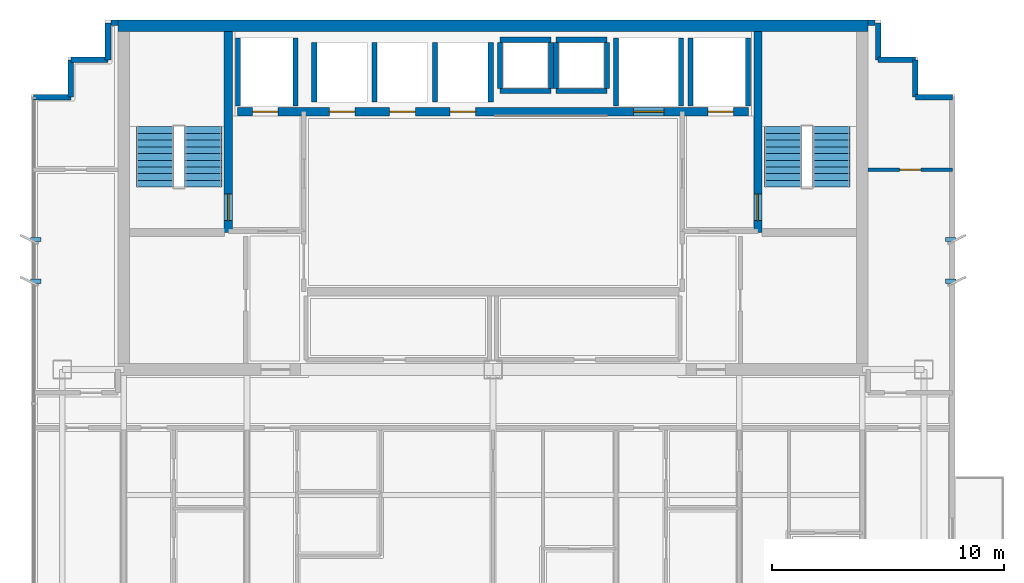
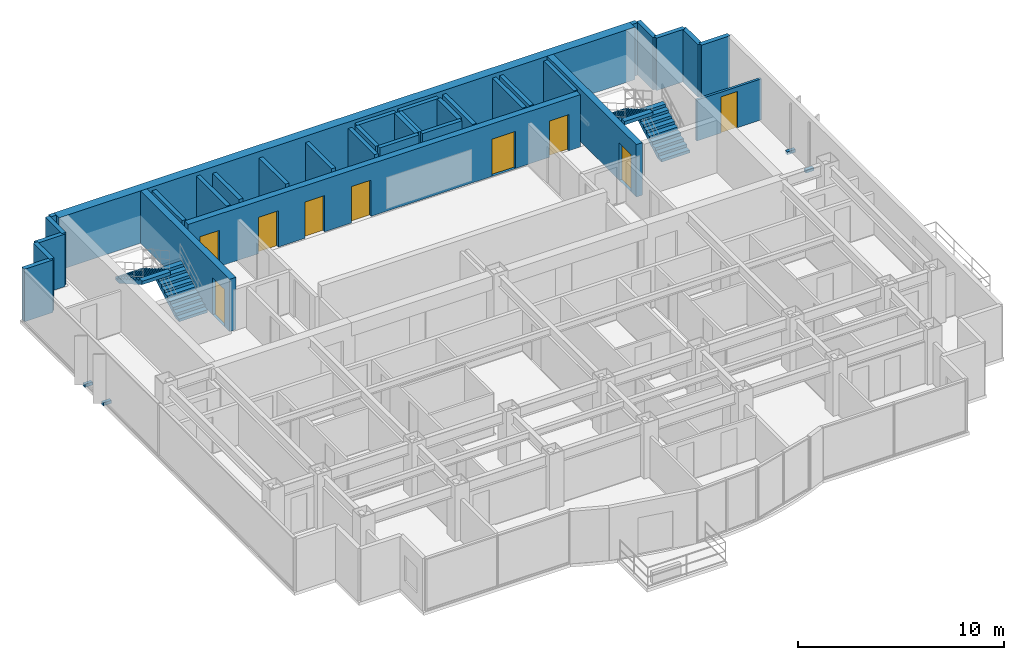
# One storey, part 9 of 11: 33 walls, 9 doors, 4 discrete accessories, 4 stair flights, 9 openings, 2 elements without a shape of their own.
"""IFC4 building model written with IfcOpenShell, lengths in metres."""

import ifcopenshell
import ifcopenshell.guid

model = None  # the IFC model being written
_history = None  # IfcOwnerHistory: only IFC2X3 demands one
_inside = {}  # id of a spatial element -> (the spatial element, [elements in it])
_under = {}  # id of a project, library or spatial element -> (it, [spatial elements below it])
_declared = {}  # id of a project -> (the project, [libraries it declares])
_typed = {}  # id of a type object -> (the type object, [elements of that type])
_made_of = {}  # id of a material, layer set ... -> (it, [elements and type objects made of it])


def new_model(schema):
    """Start an empty IFC model of exactly this schema.

    Asked for "IFC4X3", IfcOpenShell would pick the latest addendum, in which some entities
    have other attributes; the version numbers below select the first issue.
    IFC2X3 requires an IfcOwnerHistory on every rooted entity: one is made here for all.
    """
    global model, _history
    if schema == "IFC4X3":
        model = ifcopenshell.file(schema_version=(4, 3, 0, 0))
    else:
        model = ifcopenshell.file(schema=schema)
    _inside.clear()
    _under.clear()
    _declared.clear()
    _typed.clear()
    _made_of.clear()
    _history = None
    if model.schema == "IFC2X3":
        org = make("IfcOrganization", Name="unknown")
        user = make(
            "IfcPersonAndOrganization",
            ThePerson=make("IfcPerson", FamilyName="unknown"),
            TheOrganization=org,
        )
        app = make(
            "IfcApplication",
            ApplicationDeveloper=org,
            Version="unknown",
            ApplicationFullName="unknown",
            ApplicationIdentifier="unknown",
        )
        _history = make(
            "IfcOwnerHistory",
            OwningUser=user,
            OwningApplication=app,
            ChangeAction="ADDED",
            CreationDate=0,
        )
    return model


def make(cls, **values):
    """One entity of the class cls with the attributes given. An attribute that is None is left unset."""
    return model.create_entity(
        cls, **{name: value for name, value in values.items() if value is not None}
    )


def rooted(cls, **values):
    """An entity with a GlobalId (a new one), such as an element, a storey or a relation."""
    return make(cls, GlobalId=ifcopenshell.guid.new(), OwnerHistory=_history, **values)


def si_unit(unit_type, name, prefix=None):
    """IfcSIUnit, for example si_unit("LENGTHUNIT", "METRE", prefix="MILLI")."""
    return make("IfcSIUnit", UnitType=unit_type, Prefix=prefix, Name=name)


def assignment(units):
    """IfcUnitAssignment: the units of a project."""
    return None if units is None else make("IfcUnitAssignment", Units=units)


def point(xyz):
    """IfcCartesianPoint."""
    return None if xyz is None else make("IfcCartesianPoint", Coordinates=xyz)


def direction(xyz):
    """IfcDirection."""
    return None if xyz is None else make("IfcDirection", DirectionRatios=xyz)


def frame(location, z_axis=None, x_axis=None):
    """IfcAxis2Placement3D, a coordinate frame: its origin and axes. An axis left out is left unset."""
    return make(
        "IfcAxis2Placement3D",
        Location=point(location),
        Axis=direction(z_axis),
        RefDirection=direction(x_axis),
    )


def frame_2d(location, x_axis=None):
    """IfcAxis2Placement2D, a coordinate frame in the plane: its origin and x axis."""
    return make(
        "IfcAxis2Placement2D", Location=point(location), RefDirection=direction(x_axis)
    )


def origin():
    """The frame at (0, 0, 0) with its axes left unset."""
    return frame((0.0, 0.0, 0.0))


def origin_2d():
    """The frame at (0, 0) in the plane with its x axis left unset."""
    return frame_2d((0.0, 0.0))


def place(relative_to, where):
    """IfcLocalPlacement: puts the frame where relative to a parent placement (None: the world)."""
    return make(
        "IfcLocalPlacement", PlacementRelTo=relative_to, RelativePlacement=where
    )


def context(
    kind, dimensions, precision=None, world=None, true_north=None, identifier=None
):
    """IfcGeometricRepresentationContext, for example the 3D "Model" context."""
    return make(
        "IfcGeometricRepresentationContext",
        ContextIdentifier=identifier,
        ContextType=kind,
        CoordinateSpaceDimension=dimensions,
        Precision=precision,
        WorldCoordinateSystem=world,
        TrueNorth=true_north,
    )


def subcontext(parent, identifier, kind, view, scale=None):
    """IfcGeometricRepresentationSubContext, for example "Body" below "Model"."""
    return make(
        "IfcGeometricRepresentationSubContext",
        ContextIdentifier=identifier,
        ContextType=kind,
        ParentContext=parent,
        TargetScale=scale,
        TargetView=view,
    )


def project(units=None, contexts=None):
    """IfcProject with its units and contexts."""
    return rooted(
        "IfcProject",
        Name="project",
        RepresentationContexts=contexts,
        UnitsInContext=assignment(units),
    )


def spatial(cls, under=None, at=None, **own):
    """A site, building, storey or space (cls), placed at a placement, below another one or the project."""
    s = rooted(cls, ObjectPlacement=at, **own)
    if under is not None:
        _under.setdefault(under.id(), (under, []))[1].append(s)
    return s


def polyline(points):
    """IfcPolyline through the points."""
    return make("IfcPolyline", Points=[point(p) for p in points])


def profile(cls, at=None, kind="AREA", **sizes):
    """A parametric profile (cls). Its sizes go by their IFC names, for example OverallWidth=200.0."""
    return make(cls, ProfileType=kind, Position=at, **sizes)


def rectangle(**sizes):
    """IfcRectangleProfileDef."""
    return profile("IfcRectangleProfileDef", **sizes)


def outline(outer, holes=None, kind="AREA"):
    """IfcArbitraryClosedProfileDef: a profile drawn as a closed curve; with holes, ...WithVoids."""
    if holes is None:
        return make("IfcArbitraryClosedProfileDef", ProfileType=kind, OuterCurve=outer)
    return make(
        "IfcArbitraryProfileDefWithVoids",
        ProfileType=kind,
        OuterCurve=outer,
        InnerCurves=holes,
    )


def extrude(swept, where, along, depth):
    """IfcExtrudedAreaSolid: the profile swept, set in the frame where, extruded along a direction by depth."""
    return make(
        "IfcExtrudedAreaSolid",
        SweptArea=swept,
        Position=where,
        ExtrudedDirection=direction(along),
        Depth=depth,
    )


def shape(context_of_items, identifier, shape_type, items):
    """IfcShapeRepresentation: the items that make up one representation, for example the "Body"."""
    return make(
        "IfcShapeRepresentation",
        ContextOfItems=context_of_items,
        RepresentationIdentifier=identifier,
        RepresentationType=shape_type,
        Items=items,
    )


def source(mapping_origin, context_of_items, identifier, shape_type, items):
    """IfcRepresentationMap: a shape defined once, which mapped items show again and again."""
    return make(
        "IfcRepresentationMap",
        MappingOrigin=mapping_origin,
        MappedRepresentation=shape(context_of_items, identifier, shape_type, items),
    )


def transform(
    local_origin,
    x_axis=None,
    y_axis=None,
    z_axis=None,
    scale=None,
    scale2=None,
    scale3=None,
    uniform=True,
):
    """IfcCartesianTransformationOperator3D, or its non-uniform kind. x_axis, y_axis, z_axis: its Axis1, 2, 3."""
    if uniform:
        return make(
            "IfcCartesianTransformationOperator3D",
            Axis1=direction(x_axis),
            Axis2=direction(y_axis),
            LocalOrigin=point(local_origin),
            Scale=scale,
            Axis3=direction(z_axis),
        )
    return make(
        "IfcCartesianTransformationOperator3DnonUniform",
        Axis1=direction(x_axis),
        Axis2=direction(y_axis),
        LocalOrigin=point(local_origin),
        Scale=scale,
        Axis3=direction(z_axis),
        Scale2=scale2,
        Scale3=scale3,
    )


def mapped(mapping_source, mapping_target):
    """IfcMappedItem: shows the shape of a source again, moved by a transform."""
    return make(
        "IfcMappedItem", MappingSource=mapping_source, MappingTarget=mapping_target
    )


def material(Name=None, Category=None):
    """IfcMaterial."""
    return make("IfcMaterial", Name=Name, Category=Category)


def layer(
    of_material, thickness, ventilated=None, Name=None, Category=None, Priority=None
):
    """IfcMaterialLayer: one layer of a wall or slab, of a material (None: an air gap)."""
    return make(
        "IfcMaterialLayer",
        Material=of_material,
        LayerThickness=thickness,
        IsVentilated=ventilated,
        Name=Name,
        Category=Category,
        Priority=Priority,
    )


def layer_set(layers, Name=None):
    """IfcMaterialLayerSet."""
    return make("IfcMaterialLayerSet", MaterialLayers=layers, LayerSetName=Name)


def made_of(thing, what):
    """Note that an element or type object is made of a material, layer set ...; save() writes the relation."""
    if what is not None:
        _made_of.setdefault(what.id(), (what, []))[1].append(thing)
    return thing


def type_object(cls, material=None, **own):
    """A type object (cls), such as IfcWallType, which elements share."""
    return made_of(rooted(cls, **own), material)


def element(
    cls,
    number,
    at=None,
    inside=None,
    cuts=None,
    type_object=None,
    material=None,
    context=None,
    identifier="Body",
    shape_type=None,
    held_by="IfcProductDefinitionShape",
    body=None,
    shapes=None,
    **own,
):
    """One element of the class cls, such as IfcWall. Its Tag is "e" and its number.

    at: its placement. inside: the storey or other place that contains it. cuts: it is an
    opening in that element (IfcRelVoidsElement). A single representation is given by context,
    identifier, shape_type and body (its items); several are given by shapes. held_by: the class
    of the entity that holds the representations. save() writes the other relations.
    """
    e = rooted(cls, Tag="e%d" % number, ObjectPlacement=at, **own)
    if body is not None:
        shapes = [shape(context, identifier, shape_type, body)]
    if shapes is not None:
        e.Representation = make(held_by, Representations=shapes)
    if inside is not None:
        _inside.setdefault(inside.id(), (inside, []))[1].append(e)
    if cuts is not None:
        rooted(
            "IfcRelVoidsElement", RelatingBuildingElement=cuts, RelatedOpeningElement=e
        )
    if type_object is not None:
        _typed.setdefault(type_object.id(), (type_object, []))[1].append(e)
    return made_of(e, material)


def fill(opening, filler):
    """IfcRelFillsElement: the door or window that sits in an opening."""
    return rooted(
        "IfcRelFillsElement",
        RelatingOpeningElement=opening,
        RelatedBuildingElement=filler,
    )


def aggregate(whole, parts):
    """IfcRelAggregates: a whole, such as a stair, and the parts it consists of."""
    return rooted("IfcRelAggregates", RelatingObject=whole, RelatedObjects=parts)


def save(model, path):
    """Write the relations noted so far, then the file.

    IfcRelAggregates (storeys below a building ...), IfcRelContainedInSpatialStructure (elements
    in a storey), IfcRelDefinesByType, IfcRelAssociatesMaterial and IfcRelDeclares: one each for
    every whole, place, type object, material and project.
    """
    for whole, parts in _under.values():
        aggregate(whole, parts)
    for where, things in _inside.values():
        rooted(
            "IfcRelContainedInSpatialStructure",
            RelatedElements=things,
            RelatingStructure=where,
        )
    for kind, things in _typed.values():
        rooted("IfcRelDefinesByType", RelatedObjects=things, RelatingType=kind)
    for what, things in _made_of.values():
        rooted("IfcRelAssociatesMaterial", RelatedObjects=things, RelatingMaterial=what)
    for by, libraries in _declared.values():
        rooted("IfcRelDeclares", RelatingContext=by, RelatedDefinitions=libraries)
    model.write(path)


model = new_model("IFC4")

# Units and contexts
model_context = context("Model", 3, precision=1e-05, world=origin(), true_north=direction((0.0, 1.0)))
body_context = subcontext(model_context, "Body", "Model", "MODEL_VIEW")
ifc_project = project(units=[si_unit("LENGTHUNIT", "METRE"), si_unit("AREAUNIT", "SQUARE_METRE"), si_unit("VOLUMEUNIT", "CUBIC_METRE"), si_unit("PLANEANGLEUNIT", "RADIAN"), si_unit("MASSUNIT", "GRAM", prefix="KILO")], contexts=[model_context])

# Site, building, storey
site_placement = place(None, origin())
site = spatial("IfcSite", under=ifc_project, at=site_placement, CompositionType="ELEMENT")
building_placement = place(site_placement, origin())
building = spatial("IfcBuilding", under=site, at=building_placement, Name="Qianlan Lanfeng Residences", CompositionType="ELEMENT")
storey_placement = place(building_placement, frame((0.0, 0.0, 203.300048828125)))
storey = spatial("IfcBuildingStorey", under=building, at=storey_placement, Name="L55", CompositionType="ELEMENT", Elevation=203.300048828125)

# Wall, opening, door
ifc_material_1 = material(Name="Concrete C49", Category="concrete")
ifc_layer_1 = layer(ifc_material_1, 0.35009765625)
ifc_layer_set_1 = layer_set([ifc_layer_1], Name="Concrete C49")
wall_type_1 = type_object("IfcWallType", Name="CW-RC-350", PredefinedType="SHEAR", material=ifc_layer_set_1)
wall_1_placement = place(storey_placement, frame((15.10009765625, 31.10009765625, 0.0), z_axis=(0.0, 0.0, 1.0), x_axis=(0.0, 1.0, 0.0)))
wall_1 = element("IfcWall", 1, at=wall_1_placement, inside=storey, type_object=wall_type_1, Name="L55 Core Shear Wall ST1E", PredefinedType="SHEAR", context=body_context, shape_type="SweptSolid", body=[
    extrude(rectangle(XDim=8.64990234375, YDim=0.35009765625, at=frame_2d((4.324951171875, 0.0))), origin(), (0.0, 0.0, 1.0), 3.10986328125),
])
opening_1_placement = place(wall_1_placement, frame((0.510009765625, 0.0, 0.0)))
opening_1 = element("IfcOpeningElement", 2, at=opening_1_placement, cuts=wall_1, Name="Opening L55-D07", PredefinedType="OPENING", context=body_context, shape_type="SweptSolid", body=[
    extrude(rectangle(XDim=1.14990234375, YDim=2.199951171875, at=frame_2d((0.574951171875, 1.10009765625))), frame((0.0, 0.18505859375, 0.0), z_axis=(0.0, -1.0, 0.0), x_axis=(1.0, 0.0, 0.0)), (0.0, 0.0, 1.0), 0.3701171875),
])
ifc_material_2 = material(Name="Painted Galvanised Steel Fire Door", Category="steel")
door_type_1 = type_object("IfcDoorType", Name="DT-ST1", OperationType="NOTDEFINED", PredefinedType="DOOR", material=ifc_material_2)
door_1_placement = place(opening_1_placement, frame((1.14990234375, 0.0, 0.0), z_axis=(0.0, 0.0, 1.0), x_axis=(-1.0, 0.0, 0.0)))
door_1 = element("IfcDoor", 3, at=door_1_placement, inside=storey, type_object=door_type_1, Name="L55 Exit Stair ST-1 Door L55-D07 (DT-ST1)", OperationType="SINGLE_SWING_RIGHT", OverallHeight=2.199951171875, OverallWidth=1.14990234375, PredefinedType="DOOR", context=body_context, shape_type="SweptSolid", body=[
    extrude(rectangle(XDim=1.14990234375, YDim=2.199951171875, at=frame_2d((0.574951171875, 1.10009765625))), frame((0.0, 0.02490234375, 0.0), z_axis=(0.0, -1.0, 0.0), x_axis=(1.0, 0.0, 0.0)), (0.0, 0.0, 1.0), 0.050048828125),
])
fill(opening_1, door_1)

wall_2_placement = place(storey_placement, frame((37.89990234375, 31.10009765625, 0.0), z_axis=(0.0, 0.0, 1.0), x_axis=(0.0, 1.0, 0.0)))
wall_2 = element("IfcWall", 4, at=wall_2_placement, inside=storey, type_object=wall_type_1, Name="L55 Core Shear Wall ST2W", PredefinedType="SHEAR", context=body_context, shape_type="SweptSolid", body=[
    extrude(rectangle(XDim=8.64990234375, YDim=0.35009765625, at=frame_2d((4.324951171875, 0.0))), origin(), (0.0, 0.0, 1.0), 3.10986328125),
])
opening_2_placement = place(wall_2_placement, frame((0.510009765625, 0.0, 0.0)))
opening_2 = element("IfcOpeningElement", 5, at=opening_2_placement, cuts=wall_2, Name="Opening L55-D08", PredefinedType="OPENING", context=body_context, shape_type="SweptSolid", body=[
    extrude(rectangle(XDim=1.14990234375, YDim=2.199951171875, at=frame_2d((0.574951171875, 1.10009765625))), frame((0.0, 0.18505859375, 0.0), z_axis=(0.0, -1.0, 0.0), x_axis=(1.0, 0.0, 0.0)), (0.0, 0.0, 1.0), 0.3701171875),
])
door_2_placement = place(opening_2_placement, origin())
door_2 = element("IfcDoor", 6, at=door_2_placement, inside=storey, type_object=door_type_1, Name="L55 Exit Stair ST-2 Door L55-D08 (DT-ST1)", OperationType="SINGLE_SWING_RIGHT", OverallHeight=2.199951171875, OverallWidth=1.14990234375, PredefinedType="DOOR", context=body_context, shape_type="SweptSolid", body=[
    extrude(rectangle(XDim=1.14990234375, YDim=2.199951171875, at=frame_2d((0.574951171875, 1.10009765625))), frame((0.0, 0.02490234375, 0.0), z_axis=(0.0, -1.0, 0.0), x_axis=(1.0, 0.0, 0.0)), (0.0, 0.0, 1.0), 0.050048828125),
])
fill(opening_2, door_2)

# Wall, openings, doors
wall_3_placement = place(storey_placement, frame((15.5, 36.300048828125, 0.0), z_axis=(0.0, 0.0, 1.0), x_axis=(1.0, 0.0, 0.0)))
wall_3 = element("IfcWall", 7, at=wall_3_placement, inside=storey, type_object=wall_type_1, Name="L55 Core Shear Wall LBN", PredefinedType="SHEAR", context=body_context, shape_type="SweptSolid", body=[
    extrude(rectangle(XDim=22.0, YDim=0.35009765625, at=frame_2d((11.0, 0.0))), origin(), (0.0, 0.0, 1.0), 3.10986328125),
])
opening_3_placement = place(wall_3_placement, frame((0.64990234375, 0.0, 0.0)))
opening_3 = element("IfcOpeningElement", 8, at=opening_3_placement, cuts=wall_3, Name="Opening L55-LD-FFL-1", PredefinedType="OPENING", context=body_context, shape_type="SweptSolid", body=[
    extrude(rectangle(XDim=1.10009765625, YDim=2.14990234375, at=frame_2d((0.550048828125, 1.074951171875))), frame((0.0, 0.18505859375, 0.0), z_axis=(0.0, -1.0, 0.0), x_axis=(1.0, 0.0, 0.0)), (0.0, 0.0, 1.0), 0.3701171875),
])
opening_4_placement = place(wall_3_placement, frame((20.25, 0.0, 0.0)))
opening_4 = element("IfcOpeningElement", 9, at=opening_4_placement, cuts=wall_3, Name="Opening L55-LD-FFL-2", PredefinedType="OPENING", context=body_context, shape_type="SweptSolid", body=[
    extrude(rectangle(XDim=1.10009765625, YDim=2.14990234375, at=frame_2d((0.550048828125, 1.074951171875))), frame((0.0, 0.18505859375, 0.0), z_axis=(0.0, -1.0, 0.0), x_axis=(1.0, 0.0, 0.0)), (0.0, 0.0, 1.0), 0.3701171875),
])
opening_5_placement = place(wall_3_placement, frame((17.050048828125, 0.0, 0.0)))
opening_5 = element("IfcOpeningElement", 10, at=opening_5_placement, cuts=wall_3, Name="Opening L55-LD-SVL-1", PredefinedType="OPENING", context=body_context, shape_type="SweptSolid", body=[
    extrude(rectangle(XDim=1.300048828125, YDim=2.199951171875, at=frame_2d((0.64990234375, 1.10009765625))), frame((0.0, 0.18505859375, 0.0), z_axis=(0.0, -1.0, 0.0), x_axis=(1.0, 0.0, 0.0)), (0.0, 0.0, 1.0), 0.3701171875),
])
opening_6_placement = place(wall_3_placement, frame((3.949951171875, 0.0, 0.0)))
opening_6 = element("IfcOpeningElement", 11, at=opening_6_placement, cuts=wall_3, Name="Opening L55-LD-PL-H1", PredefinedType="OPENING", context=body_context, shape_type="SweptSolid", body=[
    extrude(rectangle(XDim=1.10009765625, YDim=2.14990234375, at=frame_2d((0.550048828125, 1.074951171875))), frame((0.0, 0.18505859375, 0.0), z_axis=(0.0, -1.0, 0.0), x_axis=(1.0, 0.0, 0.0)), (0.0, 0.0, 1.0), 0.3701171875),
])
opening_7_placement = place(wall_3_placement, frame((6.550048828125, 0.0, 0.0)))
opening_7 = element("IfcOpeningElement", 12, at=opening_7_placement, cuts=wall_3, Name="Opening L55-LD-PL-H2", PredefinedType="OPENING", context=body_context, shape_type="SweptSolid", body=[
    extrude(rectangle(XDim=1.10009765625, YDim=2.14990234375, at=frame_2d((0.550048828125, 1.074951171875))), frame((0.0, 0.18505859375, 0.0), z_axis=(0.0, -1.0, 0.0), x_axis=(1.0, 0.0, 0.0)), (0.0, 0.0, 1.0), 0.3701171875),
])
opening_8_placement = place(wall_3_placement, frame((9.14990234375, 0.0, 0.0)))
opening_8 = element("IfcOpeningElement", 13, at=opening_8_placement, cuts=wall_3, Name="Opening L55-LD-PL-H3", PredefinedType="OPENING", context=body_context, shape_type="SweptSolid", body=[
    extrude(rectangle(XDim=1.10009765625, YDim=2.14990234375, at=frame_2d((0.550048828125, 1.074951171875))), frame((0.0, 0.18505859375, 0.0), z_axis=(0.0, -1.0, 0.0), x_axis=(1.0, 0.0, 0.0)), (0.0, 0.0, 1.0), 0.3701171875),
])
ifc_material_3 = material(Name="Brushed Stainless Steel Sliding Lift Door", Category="steel")
door_type_2 = type_object("IfcDoorType", Name="LD-01", OperationType="NOTDEFINED", PredefinedType="DOOR", material=ifc_material_3)
door_3_placement = place(opening_3_placement, frame((1.10009765625, 0.0, 0.0), z_axis=(0.0, 0.0, 1.0), x_axis=(-1.0, 0.0, 0.0)))
door_3 = element("IfcDoor", 14, at=door_3_placement, inside=storey, type_object=door_type_2, Name="L55 Elevator FFL-1 Sliding Landing Door", OperationType="DOUBLE_DOOR_SLIDING", OverallHeight=2.14990234375, OverallWidth=1.10009765625, PredefinedType="DOOR", context=body_context, shape_type="SweptSolid", body=[
    extrude(rectangle(XDim=1.10009765625, YDim=2.14990234375, at=frame_2d((0.550048828125, 1.074951171875))), frame((0.0, 0.02490234375, 0.0), z_axis=(0.0, -1.0, 0.0), x_axis=(1.0, 0.0, 0.0)), (0.0, 0.0, 1.0), 0.050048828125),
])
fill(opening_3, door_3)
door_4_placement = place(opening_4_placement, frame((1.10009765625, 0.0, 0.0), z_axis=(0.0, 0.0, 1.0), x_axis=(-1.0, 0.0, 0.0)))
door_4 = element("IfcDoor", 15, at=door_4_placement, inside=storey, type_object=door_type_2, Name="L55 Elevator FFL-2 Sliding Landing Door", OperationType="DOUBLE_DOOR_SLIDING", OverallHeight=2.14990234375, OverallWidth=1.10009765625, PredefinedType="DOOR", context=body_context, shape_type="SweptSolid", body=[
    extrude(rectangle(XDim=1.10009765625, YDim=2.14990234375, at=frame_2d((0.550048828125, 1.074951171875))), frame((0.0, 0.02490234375, 0.0), z_axis=(0.0, -1.0, 0.0), x_axis=(1.0, 0.0, 0.0)), (0.0, 0.0, 1.0), 0.050048828125),
])
fill(opening_4, door_4)
door_5_placement = place(opening_6_placement, frame((1.10009765625, 0.0, 0.0), z_axis=(0.0, 0.0, 1.0), x_axis=(-1.0, 0.0, 0.0)))
door_5 = element("IfcDoor", 16, at=door_5_placement, inside=storey, type_object=door_type_2, Name="L55 Elevator PL-H1 Sliding Landing Door", OperationType="DOUBLE_DOOR_SLIDING", OverallHeight=2.14990234375, OverallWidth=1.10009765625, PredefinedType="DOOR", context=body_context, shape_type="SweptSolid", body=[
    extrude(rectangle(XDim=1.10009765625, YDim=2.14990234375, at=frame_2d((0.550048828125, 1.074951171875))), frame((0.0, 0.02490234375, 0.0), z_axis=(0.0, -1.0, 0.0), x_axis=(1.0, 0.0, 0.0)), (0.0, 0.0, 1.0), 0.050048828125),
])
fill(opening_6, door_5)
door_6_placement = place(opening_7_placement, frame((1.10009765625, 0.0, 0.0), z_axis=(0.0, 0.0, 1.0), x_axis=(-1.0, 0.0, 0.0)))
door_6 = element("IfcDoor", 17, at=door_6_placement, inside=storey, type_object=door_type_2, Name="L55 Elevator PL-H2 Sliding Landing Door", OperationType="DOUBLE_DOOR_SLIDING", OverallHeight=2.14990234375, OverallWidth=1.10009765625, PredefinedType="DOOR", context=body_context, shape_type="SweptSolid", body=[
    extrude(rectangle(XDim=1.10009765625, YDim=2.14990234375, at=frame_2d((0.550048828125, 1.074951171875))), frame((0.0, 0.02490234375, 0.0), z_axis=(0.0, -1.0, 0.0), x_axis=(1.0, 0.0, 0.0)), (0.0, 0.0, 1.0), 0.050048828125),
])
fill(opening_7, door_6)
door_7_placement = place(opening_8_placement, frame((1.10009765625, 0.0, 0.0), z_axis=(0.0, 0.0, 1.0), x_axis=(-1.0, 0.0, 0.0)))
door_7 = element("IfcDoor", 18, at=door_7_placement, inside=storey, type_object=door_type_2, Name="L55 Elevator PL-H3 Sliding Landing Door", OperationType="DOUBLE_DOOR_SLIDING", OverallHeight=2.14990234375, OverallWidth=1.10009765625, PredefinedType="DOOR", context=body_context, shape_type="SweptSolid", body=[
    extrude(rectangle(XDim=1.10009765625, YDim=2.14990234375, at=frame_2d((0.550048828125, 1.074951171875))), frame((0.0, 0.02490234375, 0.0), z_axis=(0.0, -1.0, 0.0), x_axis=(1.0, 0.0, 0.0)), (0.0, 0.0, 1.0), 0.050048828125),
])
fill(opening_8, door_7)
door_type_3 = type_object("IfcDoorType", Name="LD-02", OperationType="NOTDEFINED", PredefinedType="DOOR", material=ifc_material_3)
door_8_placement = place(opening_5_placement, frame((1.300048828125, 0.0, 0.0), z_axis=(0.0, 0.0, 1.0), x_axis=(-1.0, 0.0, 0.0)))
door_8 = element("IfcDoor", 19, at=door_8_placement, inside=storey, type_object=door_type_3, Name="L55 Elevator SVL-1 Sliding Landing Door", OperationType="DOUBLE_DOOR_SLIDING", OverallHeight=2.199951171875, OverallWidth=1.300048828125, PredefinedType="DOOR", context=body_context, shape_type="SweptSolid", body=[
    extrude(rectangle(XDim=1.300048828125, YDim=2.199951171875, at=frame_2d((0.64990234375, 1.10009765625))), frame((0.0, 0.02490234375, 0.0), z_axis=(0.0, -1.0, 0.0), x_axis=(1.0, 0.0, 0.0)), (0.0, 0.0, 1.0), 0.050048828125),
])
fill(opening_5, door_8)

# Walls
ifc_material_4 = material(Name="Concrete C70", Category="concrete")
ifc_layer_2 = layer(ifc_material_4, 0.5)
ifc_layer_set_2 = layer_set([ifc_layer_2], Name="Concrete C70")
wall_type_2 = type_object("IfcWallType", Name="CW-RC-500", PredefinedType="SHEAR", material=ifc_layer_set_2)
wall_4_placement = place(storey_placement, frame((10.35009765625, 40.0, 0.0), z_axis=(0.0, 0.0, 1.0), x_axis=(1.0, 0.0, 0.0)))
element("IfcWall", 20, at=wall_4_placement, inside=storey, type_object=wall_type_2, Name="L55 Core Shear Wall N", PredefinedType="SHEAR", context=body_context, shape_type="SweptSolid", body=[
    extrude(rectangle(XDim=32.2998046875, YDim=0.5, at=frame_2d((16.14990234375, 0.0))), origin(), (0.0, 0.0, 1.0), 3.10986328125),
])
ifc_material_5 = material(Name="Concrete C42", Category="concrete")
ifc_layer_3 = layer(ifc_material_5, 0.239990234375)
ifc_layer_set_3 = layer_set([ifc_layer_3], Name="Concrete C42")
wall_type_3 = type_object("IfcWallType", Name="EW-240", PredefinedType="SOLIDWALL", material=ifc_layer_set_3)
for number, where, z_axis, x_axis, name in (
    (21, (46.280029296875, 36.929931640625, 0.0), (0.0, 0.0, 1.0), (-1.0, 0.0, 0.0), "L55 Exterior Facade Spandrel Wall 13"),
    (22, (44.679931640625, 36.929931640625, 0.0), (0.0, 0.0, 1.0), (0.0, 1.0, 0.0), "L55 Exterior Facade Spandrel Wall 14"),
):
    element("IfcWall", number, at=place(storey_placement, frame(where, z_axis=z_axis, x_axis=x_axis)), inside=storey, type_object=wall_type_3, Name=name, PredefinedType="SOLIDWALL", context=body_context, shape_type="SweptSolid", body=[
        extrude(rectangle(XDim=1.60009765625, YDim=0.239990234375, at=frame_2d((0.800048828125, 0.0))), origin(), (0.0, 0.0, 1.0), 3.10986328125),
    ])
for number, where, z_axis, x_axis, name in (
    (23, (44.679931640625, 38.530029296875, 0.0), (0.0, 0.0, 1.0), (-1.0, 0.0, 0.0), "L55 Exterior Facade Spandrel Wall 15"),
    (24, (43.080078125, 38.530029296875, 0.0), (0.0, 0.0, 1.0), (0.0, 1.0, 0.0), "L55 Exterior Facade Spandrel Wall 16"),
):
    element("IfcWall", number, at=place(storey_placement, frame(where, z_axis=z_axis, x_axis=x_axis)), inside=storey, type_object=wall_type_3, Name=name, PredefinedType="SOLIDWALL", context=body_context, shape_type="SweptSolid", body=[
        extrude(rectangle(XDim=1.599853515625, YDim=0.239990234375, at=frame_2d((0.7998046875, 0.0))), origin(), (0.0, 0.0, 1.0), 3.10986328125),
    ])
for number, where, z_axis, x_axis, name in (
    (25, (42.949951171875, 40.1298828125, 0.0), (0.0, 0.0, 1.0), (-1.0, 0.0, 0.0), "L55 North Wing Exterior Wall E"),
    (26, (10.35009765625, 40.1298828125, 0.0), (0.0, 0.0, 1.0), (-1.0, 0.0, 0.0), "L55 North Wing Exterior Wall W"),
):
    element("IfcWall", number, at=place(storey_placement, frame(where, z_axis=z_axis, x_axis=x_axis)), inside=storey, type_object=wall_type_3, Name=name, PredefinedType="SOLIDWALL", context=body_context, shape_type="SweptSolid", body=[
        extrude(rectangle(XDim=0.300048828125, YDim=0.239990234375, at=frame_2d((0.14990234375, 0.0))), origin(), (0.0, 0.0, 1.0), 3.10986328125),
    ])
for number, where, z_axis, x_axis, name in (
    (27, (9.919921875, 40.1298828125, 0.0), (0.0, 0.0, 1.0), (0.0, -1.0, 0.0), "L55 Exterior Facade Spandrel Wall 19"),
    (28, (9.919921875, 38.530029296875, 0.0), (0.0, 0.0, 1.0), (-1.0, 0.0, 0.0), "L55 Exterior Facade Spandrel Wall 20"),
):
    element("IfcWall", number, at=place(storey_placement, frame(where, z_axis=z_axis, x_axis=x_axis)), inside=storey, type_object=wall_type_3, Name=name, PredefinedType="SOLIDWALL", context=body_context, shape_type="SweptSolid", body=[
        extrude(rectangle(XDim=1.599853515625, YDim=0.239990234375, at=frame_2d((0.7998046875, 0.0))), origin(), (0.0, 0.0, 1.0), 3.10986328125),
    ])
for number, where, z_axis, x_axis, name in (
    (29, (8.320068359375, 38.530029296875, 0.0), (0.0, 0.0, 1.0), (0.0, -1.0, 0.0), "L55 Exterior Facade Spandrel Wall 21"),
    (30, (8.320068359375, 36.929931640625, 0.0), (0.0, 0.0, 1.0), (-1.0, 0.0, 0.0), "L55 Exterior Facade Spandrel Wall 22"),
):
    element("IfcWall", number, at=place(storey_placement, frame(where, z_axis=z_axis, x_axis=x_axis)), inside=storey, type_object=wall_type_3, Name=name, PredefinedType="SOLIDWALL", context=body_context, shape_type="SweptSolid", body=[
        extrude(rectangle(XDim=1.60009765625, YDim=0.239990234375, at=frame_2d((0.800048828125, 0.0))), origin(), (0.0, 0.0, 1.0), 3.10986328125),
    ])

# Wall, opening, door
ifc_material_6 = material(Name="Moisture-Resistant Gypsum Partition 135 mm")
ifc_layer_4 = layer(ifc_material_6, 0.135009765625)
ifc_layer_set_4 = layer_set([ifc_layer_4], Name="Moisture-Resistant Gypsum Partition 135 mm")
wall_type_4 = type_object("IfcWallType", Name="PW-135", PredefinedType="PARTITIONING", material=ifc_layer_set_4)
wall_5_placement = place(storey_placement, frame((42.64990234375, 33.800048828125, 0.0), z_axis=(0.0, 0.0, 1.0), x_axis=(1.0, 0.0, 0.0)))
wall_5 = element("IfcWall", 31, at=wall_5_placement, inside=storey, type_object=wall_type_4, Name="L55 EW North Wing Wall", PredefinedType="PARTITIONING", context=body_context, shape_type="SweptSolid", body=[
    extrude(rectangle(XDim=3.630126953125, YDim=0.135009765625, at=frame_2d((1.81494140625, 0.0))), origin(), (0.0, 0.0, 1.0), 2.429931640625),
])
opening_9_placement = place(wall_5_placement, frame((1.35498046875, 0.0, 0.0)))
opening_9 = element("IfcOpeningElement", 32, at=opening_9_placement, cuts=wall_5, Name="Opening L55-D42", PredefinedType="OPENING", context=body_context, shape_type="SweptSolid", body=[
    extrude(rectangle(XDim=0.919921875, YDim=2.14990234375, at=frame_2d((0.4599609375, 1.074951171875))), frame((0.0, 0.07763671875, 0.0), z_axis=(0.0, -1.0, 0.0), x_axis=(1.0, 0.0, 0.0)), (0.0, 0.0, 1.0), 0.155029296875),
])
ifc_material_7 = material(Name="Glazed Timber Kitchen/Study Door", Category="wood")
door_type_4 = type_object("IfcDoorType", Name="DT-INT", OperationType="NOTDEFINED", PredefinedType="DOOR", material=ifc_material_7)
door_9_placement = place(opening_9_placement, origin())
door_9 = element("IfcDoor", 33, at=door_9_placement, inside=storey, type_object=door_type_4, Name="L55 EW Inner Salon Door L55-D42 (DT-INT)", OperationType="SINGLE_SWING_RIGHT", OverallHeight=2.14990234375, OverallWidth=0.919921875, PredefinedType="DOOR", context=body_context, shape_type="SweptSolid", body=[
    extrude(rectangle(XDim=0.919921875, YDim=2.14990234375, at=frame_2d((0.4599609375, 1.074951171875))), frame((0.0, 0.02490234375, 0.0), z_axis=(0.0, -1.0, 0.0), x_axis=(1.0, 0.0, 0.0)), (0.0, 0.0, 1.0), 0.050048828125),
])
fill(opening_9, door_9)

# Walls
ifc_layer_5 = layer(ifc_material_1, 0.219970703125)
ifc_layer_set_5 = layer_set([ifc_layer_5], Name="Concrete C49")
wall_type_5 = type_object("IfcWallType", Name="SHW-220", PredefinedType="SOLIDWALL", material=ifc_layer_set_5)
for number, where, z_axis, x_axis, name in (
    (34, (15.52001953125, 36.550048828125, 0.0), (0.0, 0.0, 1.0), (0.0, 1.0, 0.0), "L55 Lift FFL-1 Shaft Wall W"),
    (35, (18.0, 36.550048828125, 0.0), (0.0, 0.0, 1.0), (0.0, 1.0, 0.0), "L55 Lift FFL-1 Shaft Wall E"),
    (36, (35.0, 36.550048828125, 0.0), (0.0, 0.0, 1.0), (0.0, 1.0, 0.0), "L55 Lift FFL-2 Shaft Wall W"),
    (37, (37.47998046875, 36.550048828125, 0.0), (0.0, 0.0, 1.0), (0.0, 1.0, 0.0), "L55 Lift FFL-2 Shaft Wall E"),
    (38, (31.800048828125, 36.550048828125, 0.0), (0.0, 0.0, 1.0), (0.0, 1.0, 0.0), "L55 Lift SVL-1 Shaft Wall W"),
    (39, (34.60009765625, 36.550048828125, 0.0), (0.0, 0.0, 1.0), (0.0, 1.0, 0.0), "L55 Lift SVL-1 Shaft Wall E"),
):
    element("IfcWall", number, at=place(storey_placement, frame(where, z_axis=z_axis, x_axis=x_axis)), inside=storey, type_object=wall_type_5, Name=name, PredefinedType="SOLIDWALL", context=body_context, shape_type="SweptSolid", body=[
        extrude(rectangle(XDim=2.929931640625, YDim=0.219970703125, at=frame_2d((1.46484375, 0.0))), origin(), (0.0, 0.0, 1.0), 3.10986328125),
    ])
for number, where, z_axis, x_axis, name in (
    (40, (18.800048828125, 36.719970703125, 0.0), (0.0, 0.0, 1.0), (0.0, 1.0, 0.0), "L55 Lift PL-H1 Shaft Wall W"),
    (41, (21.39990234375, 36.719970703125, 0.0), (0.0, 0.0, 1.0), (0.0, 1.0, 0.0), "L55 Lift PL-H2 Shaft Wall W"),
    (42, (24.0, 36.719970703125, 0.0), (0.0, 0.0, 1.0), (0.0, 1.0, 0.0), "L55 Lift PL-H3 Shaft Wall W"),
    (43, (26.39990234375, 36.719970703125, 0.0), (0.0, 0.0, 1.0), (0.0, 1.0, 0.0), "L55 Lift PL-H3 Shaft Wall E"),
):
    element("IfcWall", number, at=place(storey_placement, frame(where, z_axis=z_axis, x_axis=x_axis)), inside=storey, type_object=wall_type_5, Name=name, PredefinedType="SOLIDWALL", context=body_context, shape_type="SweptSolid", body=[
        extrude(rectangle(XDim=2.56005859375, YDim=0.219970703125, at=frame_2d((1.280029296875, 0.0))), origin(), (0.0, 0.0, 1.0), 3.10986328125),
    ])
for number, where, z_axis, x_axis, name in (
    (44, (26.800048828125, 37.31005859375, 0.0), (0.0, 0.0, 1.0), (0.0, 1.0, 0.0), "L55 MEP Riser MEP-R1 Shaft Wall W"),
    (45, (29.0, 37.31005859375, 0.0), (0.0, 0.0, 1.0), (0.0, 1.0, 0.0), "L55 MEP Riser MEP-R1 Shaft Wall E"),
):
    element("IfcWall", number, at=place(storey_placement, frame(where, z_axis=z_axis, x_axis=x_axis)), inside=storey, type_object=wall_type_5, Name=name, PredefinedType="SOLIDWALL", context=body_context, shape_type="SweptSolid", body=[
        extrude(rectangle(XDim=1.97998046875, YDim=0.219970703125, at=frame_2d((0.989990234375, 0.0))), origin(), (0.0, 0.0, 1.0), 3.10986328125),
    ])
for number, where, z_axis, x_axis, name in (
    (46, (26.800048828125, 39.39990234375, 0.0), (0.0, 0.0, 1.0), (1.0, 0.0, 0.0), "L55 MEP Riser MEP-R1 Shaft Wall N"),
    (47, (26.800048828125, 37.199951171875, 0.0), (0.0, 0.0, 1.0), (1.0, 0.0, 0.0), "L55 MEP Riser MEP-R1 Shaft Wall S"),
):
    element("IfcWall", number, at=place(storey_placement, frame(where, z_axis=z_axis, x_axis=x_axis)), inside=storey, type_object=wall_type_5, Name=name, PredefinedType="SOLIDWALL", context=body_context, shape_type="SweptSolid", body=[
        extrude(rectangle(XDim=2.199951171875, YDim=0.219970703125, at=frame_2d((1.10009765625, 0.0))), origin(), (0.0, 0.0, 1.0), 3.10986328125),
    ])
for number, where, z_axis, x_axis, name in (
    (48, (29.199951171875, 37.31005859375, 0.0), (0.0, 0.0, 1.0), (0.0, 1.0, 0.0), "L55 MEP Riser MEP-R2 Shaft Wall W"),
    (49, (31.39990234375, 37.31005859375, 0.0), (0.0, 0.0, 1.0), (0.0, 1.0, 0.0), "L55 MEP Riser MEP-R2 Shaft Wall E"),
):
    element("IfcWall", number, at=place(storey_placement, frame(where, z_axis=z_axis, x_axis=x_axis)), inside=storey, type_object=wall_type_5, Name=name, PredefinedType="SOLIDWALL", context=body_context, shape_type="SweptSolid", body=[
        extrude(rectangle(XDim=1.97998046875, YDim=0.219970703125, at=frame_2d((0.989990234375, 0.0))), origin(), (0.0, 0.0, 1.0), 3.10986328125),
    ])
for number, where, z_axis, x_axis, name in (
    (50, (29.199951171875, 39.39990234375, 0.0), (0.0, 0.0, 1.0), (1.0, 0.0, 0.0), "L55 MEP Riser MEP-R2 Shaft Wall N"),
    (51, (29.199951171875, 37.199951171875, 0.0), (0.0, 0.0, 1.0), (1.0, 0.0, 0.0), "L55 MEP Riser MEP-R2 Shaft Wall S"),
):
    element("IfcWall", number, at=place(storey_placement, frame(where, z_axis=z_axis, x_axis=x_axis)), inside=storey, type_object=wall_type_5, Name=name, PredefinedType="SOLIDWALL", context=body_context, shape_type="SweptSolid", body=[
        extrude(rectangle(XDim=2.199951171875, YDim=0.219970703125, at=frame_2d((1.10009765625, 0.0))), origin(), (0.0, 0.0, 1.0), 3.10986328125),
    ])

# Stair, stair flights
stair_type = type_object("IfcStairType", Name="STR-MAIN", PredefinedType="HALF_TURN_STAIR", material=ifc_material_5)
stair_1_placement = place(storey_placement, origin())
stair_1 = element("IfcStair", 52, at=stair_1_placement, inside=storey, type_object=stair_type, Name="L55 Exit Stair ST-1", PredefinedType="HALF_TURN_STAIR")
stair_flight_type = type_object("IfcStairFlightType", Name="FLT-1720", PredefinedType="STRAIGHT", material=ifc_material_5)
stair_flight_1_placement = place(storey_placement, frame((14.02001953125, 33.050048828125, 0.0), z_axis=(0.0, 0.0, 1.0), x_axis=(0.0, 1.0, 0.0)))
stair_flight_1 = element("IfcStairFlight", 53, at=stair_flight_1_placement, type_object=stair_flight_type, Name="ST-1 flight 1", NumberOfRisers=10, NumberOfTreads=9, PredefinedType="STRAIGHT", RiserHeight=0.165, TreadLength=0.29, context=body_context, shape_type="SweptSolid", body=[
    extrude(outline(polyline([(0.0, 0.0), (0.0, 0.1650390625), (0.2900390625, 0.1650390625), (0.2900390625, 0.330078125), (0.580078125, 0.330078125), (0.580078125, 0.4951171875), (0.8701171875, 0.4951171875), (0.8701171875, 0.659912109375), (1.159912109375, 0.659912109375), (1.159912109375, 0.824951171875), (1.449951171875, 0.824951171875), (1.449951171875, 0.989990234375), (1.739990234375, 0.989990234375), (1.739990234375, 1.155029296875), (2.030029296875, 1.155029296875), (2.030029296875, 1.320068359375), (2.320068359375, 1.320068359375), (2.320068359375, 1.485107421875), (2.610107421875, 1.485107421875), (2.610107421875, 1.64990234375), (2.610107421875, 1.278076171875), (0.36376953125, 0.0), (0.0, 0.0)])), frame((0.0, 0.800048828125, 0.0), z_axis=(0.0, -1.0, 0.0), x_axis=(1.0, 0.0, 0.0)), (0.0, 0.0, 1.0), 1.60009765625),
])
stair_flight_2_placement = place(storey_placement, frame((11.93994140625, 35.659912109375, 1.64990234375), z_axis=(0.0, 0.0, 1.0), x_axis=(0.0, -1.0, 0.0)))
stair_flight_2 = element("IfcStairFlight", 54, at=stair_flight_2_placement, type_object=stair_flight_type, Name="ST-1 flight 2", NumberOfRisers=10, NumberOfTreads=9, PredefinedType="STRAIGHT", RiserHeight=0.165, TreadLength=0.29, context=body_context, shape_type="SweptSolid", body=[
    extrude(outline(polyline([(0.0, 0.0), (0.0, 0.1650390625), (0.2900390625, 0.1650390625), (0.2900390625, 0.330078125), (0.580078125, 0.330078125), (0.580078125, 0.4951171875), (0.8701171875, 0.4951171875), (0.8701171875, 0.659912109375), (1.159912109375, 0.659912109375), (1.159912109375, 0.824951171875), (1.449951171875, 0.824951171875), (1.449951171875, 0.989990234375), (1.739990234375, 0.989990234375), (1.739990234375, 1.155029296875), (2.030029296875, 1.155029296875), (2.030029296875, 1.320068359375), (2.320068359375, 1.320068359375), (2.320068359375, 1.485107421875), (2.610107421875, 1.485107421875), (2.610107421875, 1.64990234375), (2.610107421875, 1.278076171875), (0.36376953125, 0.0), (0.0, 0.0)])), frame((0.0, 0.800048828125, 0.0), z_axis=(0.0, -1.0, 0.0), x_axis=(1.0, 0.0, 0.0)), (0.0, 0.0, 1.0), 1.60009765625),
])
aggregate(stair_1, [stair_flight_1, stair_flight_2])

stair_2_placement = place(storey_placement, origin())
stair_2 = element("IfcStair", 55, at=stair_2_placement, inside=storey, type_object=stair_type, Name="L55 Exit Stair ST-2", PredefinedType="HALF_TURN_STAIR")
stair_flight_3_placement = place(storey_placement, frame((41.06005859375, 33.050048828125, 0.0), z_axis=(0.0, 0.0, 1.0), x_axis=(0.0, 1.0, 0.0)))
stair_flight_3 = element("IfcStairFlight", 56, at=stair_flight_3_placement, type_object=stair_flight_type, Name="ST-2 flight 1", NumberOfRisers=10, NumberOfTreads=9, PredefinedType="STRAIGHT", RiserHeight=0.165, TreadLength=0.29, context=body_context, shape_type="SweptSolid", body=[
    extrude(outline(polyline([(0.0, 0.0), (0.0, 0.1650390625), (0.2900390625, 0.1650390625), (0.2900390625, 0.330078125), (0.580078125, 0.330078125), (0.580078125, 0.4951171875), (0.8701171875, 0.4951171875), (0.8701171875, 0.659912109375), (1.159912109375, 0.659912109375), (1.159912109375, 0.824951171875), (1.449951171875, 0.824951171875), (1.449951171875, 0.989990234375), (1.739990234375, 0.989990234375), (1.739990234375, 1.155029296875), (2.030029296875, 1.155029296875), (2.030029296875, 1.320068359375), (2.320068359375, 1.320068359375), (2.320068359375, 1.485107421875), (2.610107421875, 1.485107421875), (2.610107421875, 1.64990234375), (2.610107421875, 1.278076171875), (0.36376953125, 0.0), (0.0, 0.0)])), frame((0.0, 0.800048828125, 0.0), z_axis=(0.0, -1.0, 0.0), x_axis=(1.0, 0.0, 0.0)), (0.0, 0.0, 1.0), 1.60009765625),
])
stair_flight_4_placement = place(storey_placement, frame((38.97998046875, 35.659912109375, 1.64990234375), z_axis=(0.0, 0.0, 1.0), x_axis=(0.0, -1.0, 0.0)))
stair_flight_4 = element("IfcStairFlight", 57, at=stair_flight_4_placement, type_object=stair_flight_type, Name="ST-2 flight 2", NumberOfRisers=10, NumberOfTreads=9, PredefinedType="STRAIGHT", RiserHeight=0.165, TreadLength=0.29, context=body_context, shape_type="SweptSolid", body=[
    extrude(outline(polyline([(0.0, 0.0), (0.0, 0.1650390625), (0.2900390625, 0.1650390625), (0.2900390625, 0.330078125), (0.580078125, 0.330078125), (0.580078125, 0.4951171875), (0.8701171875, 0.4951171875), (0.8701171875, 0.659912109375), (1.159912109375, 0.659912109375), (1.159912109375, 0.824951171875), (1.449951171875, 0.824951171875), (1.449951171875, 0.989990234375), (1.739990234375, 0.989990234375), (1.739990234375, 1.155029296875), (2.030029296875, 1.155029296875), (2.030029296875, 1.320068359375), (2.320068359375, 1.320068359375), (2.320068359375, 1.485107421875), (2.610107421875, 1.485107421875), (2.610107421875, 1.64990234375), (2.610107421875, 1.278076171875), (0.36376953125, 0.0), (0.0, 0.0)])), frame((0.0, 0.800048828125, 0.0), z_axis=(0.0, -1.0, 0.0), x_axis=(1.0, 0.0, 0.0)), (0.0, 0.0, 1.0), 1.60009765625),
])
aggregate(stair_2, [stair_flight_3, stair_flight_4])

# Discrete accessories
ifc_material_8 = material(Name="Stainless Steel Facade Bracket", Category="steel")
discrete_accessory_type = type_object("IfcDiscreteAccessoryType", Name="BRK-SS-350", PredefinedType="BRACKET", material=ifc_material_8)
shared_shape = source(origin(), body_context, "Body", "SweptSolid", [
    extrude(rectangle(XDim=0.449951171875, YDim=0.179931640625, at=origin_2d()), origin(), (0.0, 0.0, 1.0), 0.179931640625),
])
for number, where, z_axis, x_axis, name in (
    (58, (6.800048828125, 29.0, -0.14990234375), (0.0, 0.0, 1.0), (1.0, 0.0, 0.0), "L55 Raked Solar Fin Support Bracket W1"),
    (59, (6.800048828125, 30.800048828125, -0.14990234375), (0.0, 0.0, 1.0), (1.0, 0.0, 0.0), "L55 Raked Solar Fin Support Bracket W2"),
    (60, (46.199951171875, 29.0, -0.14990234375), (0.0, 0.0, 1.0), (1.0, 0.0, 0.0), "L55 Raked Solar Fin Support Bracket E1"),
    (61, (46.199951171875, 30.800048828125, -0.14990234375), (0.0, 0.0, 1.0), (1.0, 0.0, 0.0), "L55 Raked Solar Fin Support Bracket E2"),
):
    element("IfcDiscreteAccessory", number, at=place(storey_placement, frame(where, z_axis=z_axis, x_axis=x_axis)), inside=storey, type_object=discrete_accessory_type, Name=name, PredefinedType="BRACKET", context=body_context, shape_type="MappedRepresentation", body=[
        mapped(shared_shape, transform((0.0, 0.0, 0.0), scale=1.0)),
    ])

save(model, "model.ifc")
